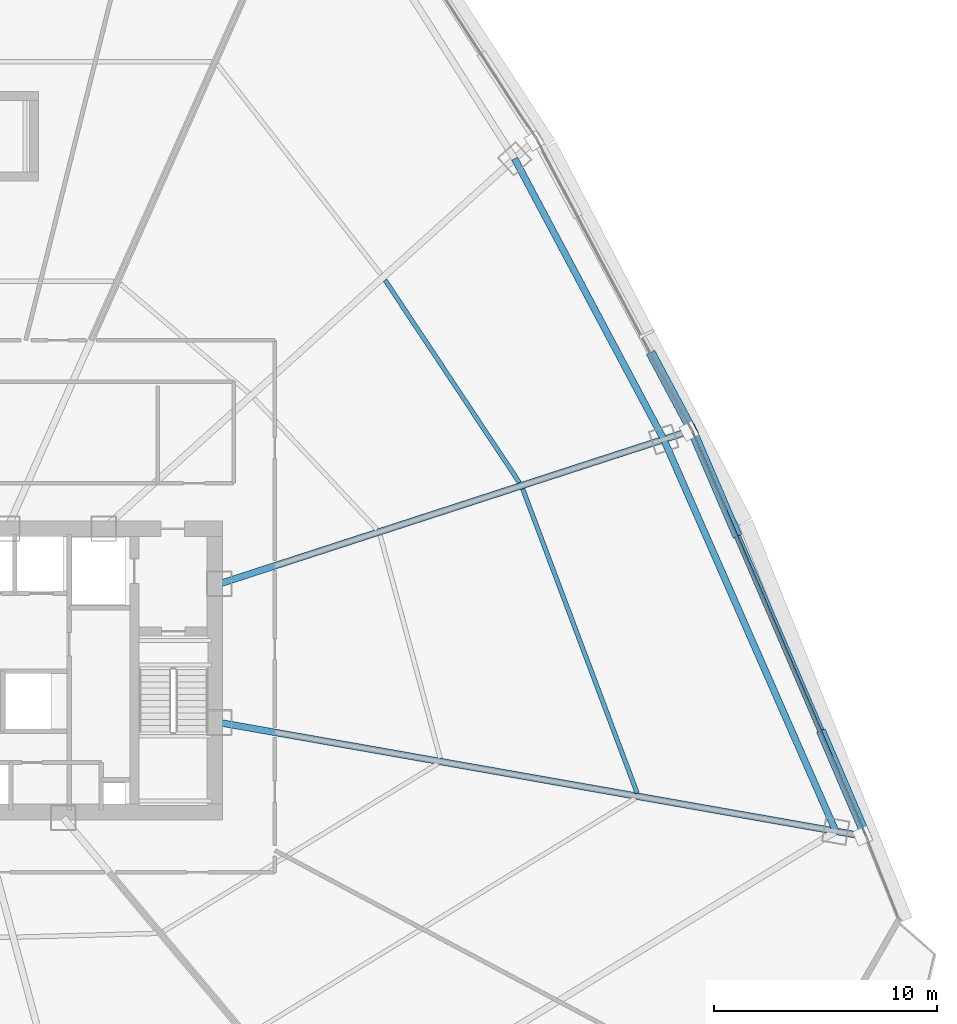
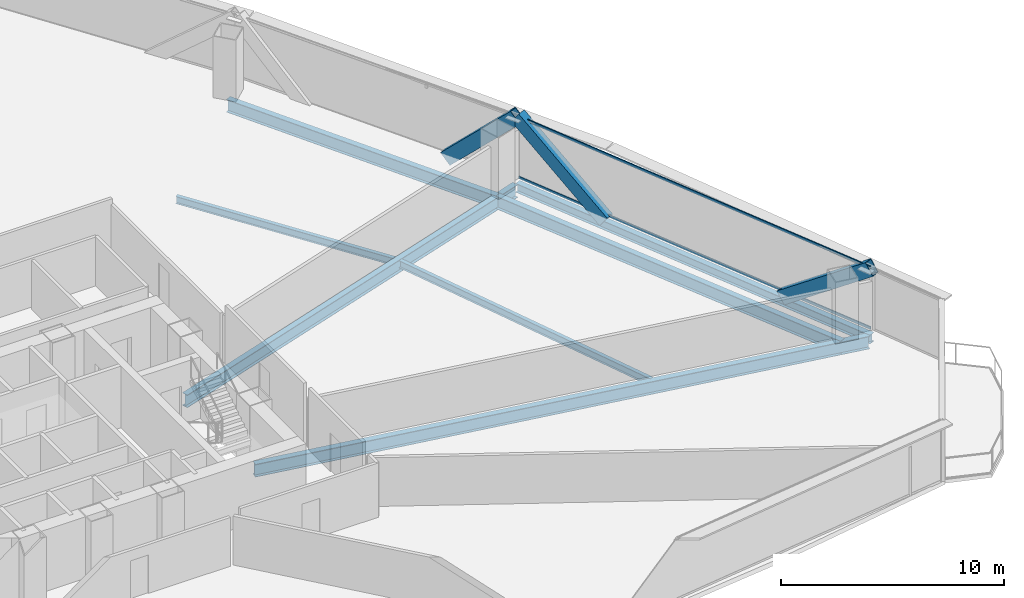
# One storey, part 23 of 37: 7 beams, 5 members, 1 element without a shape of its own.
"""IFC4 building model written with IfcOpenShell, lengths in metres."""

import ifcopenshell
import ifcopenshell.guid

model = None  # the IFC model being written
_history = None  # IfcOwnerHistory: only IFC2X3 demands one
_inside = {}  # id of a spatial element -> (the spatial element, [elements in it])
_under = {}  # id of a project, library or spatial element -> (it, [spatial elements below it])
_declared = {}  # id of a project -> (the project, [libraries it declares])
_typed = {}  # id of a type object -> (the type object, [elements of that type])
_made_of = {}  # id of a material, layer set ... -> (it, [elements and type objects made of it])


def new_model(schema):
    """Start an empty IFC model of exactly this schema.

    Asked for "IFC4X3", IfcOpenShell would pick the latest addendum, in which some entities
    have other attributes; the version numbers below select the first issue.
    IFC2X3 requires an IfcOwnerHistory on every rooted entity: one is made here for all.
    """
    global model, _history
    if schema == "IFC4X3":
        model = ifcopenshell.file(schema_version=(4, 3, 0, 0))
    else:
        model = ifcopenshell.file(schema=schema)
    _inside.clear()
    _under.clear()
    _declared.clear()
    _typed.clear()
    _made_of.clear()
    _history = None
    if model.schema == "IFC2X3":
        org = make("IfcOrganization", Name="unknown")
        user = make(
            "IfcPersonAndOrganization",
            ThePerson=make("IfcPerson", FamilyName="unknown"),
            TheOrganization=org,
        )
        app = make(
            "IfcApplication",
            ApplicationDeveloper=org,
            Version="unknown",
            ApplicationFullName="unknown",
            ApplicationIdentifier="unknown",
        )
        _history = make(
            "IfcOwnerHistory",
            OwningUser=user,
            OwningApplication=app,
            ChangeAction="ADDED",
            CreationDate=0,
        )
    return model


def make(cls, **values):
    """One entity of the class cls with the attributes given. An attribute that is None is left unset."""
    return model.create_entity(
        cls, **{name: value for name, value in values.items() if value is not None}
    )


def rooted(cls, **values):
    """An entity with a GlobalId (a new one), such as an element, a storey or a relation."""
    return make(cls, GlobalId=ifcopenshell.guid.new(), OwnerHistory=_history, **values)


def si_unit(unit_type, name, prefix=None):
    """IfcSIUnit, for example si_unit("LENGTHUNIT", "METRE", prefix="MILLI")."""
    return make("IfcSIUnit", UnitType=unit_type, Prefix=prefix, Name=name)


def assignment(units):
    """IfcUnitAssignment: the units of a project."""
    return None if units is None else make("IfcUnitAssignment", Units=units)


def point(xyz):
    """IfcCartesianPoint."""
    return None if xyz is None else make("IfcCartesianPoint", Coordinates=xyz)


def direction(xyz):
    """IfcDirection."""
    return None if xyz is None else make("IfcDirection", DirectionRatios=xyz)


def frame(location, z_axis=None, x_axis=None):
    """IfcAxis2Placement3D, a coordinate frame: its origin and axes. An axis left out is left unset."""
    return make(
        "IfcAxis2Placement3D",
        Location=point(location),
        Axis=direction(z_axis),
        RefDirection=direction(x_axis),
    )


def frame_2d(location, x_axis=None):
    """IfcAxis2Placement2D, a coordinate frame in the plane: its origin and x axis."""
    return make(
        "IfcAxis2Placement2D", Location=point(location), RefDirection=direction(x_axis)
    )


def origin():
    """The frame at (0, 0, 0) with its axes left unset."""
    return frame((0.0, 0.0, 0.0))


def origin_2d():
    """The frame at (0, 0) in the plane with its x axis left unset."""
    return frame_2d((0.0, 0.0))


def place(relative_to, where):
    """IfcLocalPlacement: puts the frame where relative to a parent placement (None: the world)."""
    return make(
        "IfcLocalPlacement", PlacementRelTo=relative_to, RelativePlacement=where
    )


def context(
    kind, dimensions, precision=None, world=None, true_north=None, identifier=None
):
    """IfcGeometricRepresentationContext, for example the 3D "Model" context."""
    return make(
        "IfcGeometricRepresentationContext",
        ContextIdentifier=identifier,
        ContextType=kind,
        CoordinateSpaceDimension=dimensions,
        Precision=precision,
        WorldCoordinateSystem=world,
        TrueNorth=true_north,
    )


def subcontext(parent, identifier, kind, view, scale=None):
    """IfcGeometricRepresentationSubContext, for example "Body" below "Model"."""
    return make(
        "IfcGeometricRepresentationSubContext",
        ContextIdentifier=identifier,
        ContextType=kind,
        ParentContext=parent,
        TargetScale=scale,
        TargetView=view,
    )


def project(units=None, contexts=None):
    """IfcProject with its units and contexts."""
    return rooted(
        "IfcProject",
        Name="project",
        RepresentationContexts=contexts,
        UnitsInContext=assignment(units),
    )


def spatial(cls, under=None, at=None, **own):
    """A site, building, storey or space (cls), placed at a placement, below another one or the project."""
    s = rooted(cls, ObjectPlacement=at, **own)
    if under is not None:
        _under.setdefault(under.id(), (under, []))[1].append(s)
    return s


def profile(cls, at=None, kind="AREA", **sizes):
    """A parametric profile (cls). Its sizes go by their IFC names, for example OverallWidth=200.0."""
    return make(cls, ProfileType=kind, Position=at, **sizes)


def hollow_rectangle(**sizes):
    """IfcRectangleHollowProfileDef."""
    return profile("IfcRectangleHollowProfileDef", **sizes)


def i_section(**sizes):
    """IfcIShapeProfileDef."""
    return profile("IfcIShapeProfileDef", **sizes)


def extrude(swept, where, along, depth):
    """IfcExtrudedAreaSolid: the profile swept, set in the frame where, extruded along a direction by depth."""
    return make(
        "IfcExtrudedAreaSolid",
        SweptArea=swept,
        Position=where,
        ExtrudedDirection=direction(along),
        Depth=depth,
    )


def shape(context_of_items, identifier, shape_type, items):
    """IfcShapeRepresentation: the items that make up one representation, for example the "Body"."""
    return make(
        "IfcShapeRepresentation",
        ContextOfItems=context_of_items,
        RepresentationIdentifier=identifier,
        RepresentationType=shape_type,
        Items=items,
    )


def source(mapping_origin, context_of_items, identifier, shape_type, items):
    """IfcRepresentationMap: a shape defined once, which mapped items show again and again."""
    return make(
        "IfcRepresentationMap",
        MappingOrigin=mapping_origin,
        MappedRepresentation=shape(context_of_items, identifier, shape_type, items),
    )


def transform(
    local_origin,
    x_axis=None,
    y_axis=None,
    z_axis=None,
    scale=None,
    scale2=None,
    scale3=None,
    uniform=True,
):
    """IfcCartesianTransformationOperator3D, or its non-uniform kind. x_axis, y_axis, z_axis: its Axis1, 2, 3."""
    if uniform:
        return make(
            "IfcCartesianTransformationOperator3D",
            Axis1=direction(x_axis),
            Axis2=direction(y_axis),
            LocalOrigin=point(local_origin),
            Scale=scale,
            Axis3=direction(z_axis),
        )
    return make(
        "IfcCartesianTransformationOperator3DnonUniform",
        Axis1=direction(x_axis),
        Axis2=direction(y_axis),
        LocalOrigin=point(local_origin),
        Scale=scale,
        Axis3=direction(z_axis),
        Scale2=scale2,
        Scale3=scale3,
    )


def mapped(mapping_source, mapping_target):
    """IfcMappedItem: shows the shape of a source again, moved by a transform."""
    return make(
        "IfcMappedItem", MappingSource=mapping_source, MappingTarget=mapping_target
    )


def material(Name=None, Category=None):
    """IfcMaterial."""
    return make("IfcMaterial", Name=Name, Category=Category)


def layer(
    of_material, thickness, ventilated=None, Name=None, Category=None, Priority=None
):
    """IfcMaterialLayer: one layer of a wall or slab, of a material (None: an air gap)."""
    return make(
        "IfcMaterialLayer",
        Material=of_material,
        LayerThickness=thickness,
        IsVentilated=ventilated,
        Name=Name,
        Category=Category,
        Priority=Priority,
    )


def layer_set(layers, Name=None):
    """IfcMaterialLayerSet."""
    return make("IfcMaterialLayerSet", MaterialLayers=layers, LayerSetName=Name)


def material_profile(
    of_material, cross_section, Name=None, Category=None, Priority=None
):
    """IfcMaterialProfile: a cross section and its material."""
    return make(
        "IfcMaterialProfile",
        Name=Name,
        Material=of_material,
        Profile=cross_section,
        Priority=Priority,
        Category=Category,
    )


def profile_set(profiles, Name=None, composite=None):
    """IfcMaterialProfileSet."""
    return make(
        "IfcMaterialProfileSet",
        Name=Name,
        MaterialProfiles=profiles,
        CompositeProfile=composite,
    )


def made_of(thing, what):
    """Note that an element or type object is made of a material, layer set ...; save() writes the relation."""
    if what is not None:
        _made_of.setdefault(what.id(), (what, []))[1].append(thing)
    return thing


def type_object(cls, material=None, **own):
    """A type object (cls), such as IfcWallType, which elements share."""
    return made_of(rooted(cls, **own), material)


def element(
    cls,
    number,
    at=None,
    inside=None,
    cuts=None,
    type_object=None,
    material=None,
    context=None,
    identifier="Body",
    shape_type=None,
    held_by="IfcProductDefinitionShape",
    body=None,
    shapes=None,
    **own,
):
    """One element of the class cls, such as IfcWall. Its Tag is "e" and its number.

    at: its placement. inside: the storey or other place that contains it. cuts: it is an
    opening in that element (IfcRelVoidsElement). A single representation is given by context,
    identifier, shape_type and body (its items); several are given by shapes. held_by: the class
    of the entity that holds the representations. save() writes the other relations.
    """
    e = rooted(cls, Tag="e%d" % number, ObjectPlacement=at, **own)
    if body is not None:
        shapes = [shape(context, identifier, shape_type, body)]
    if shapes is not None:
        e.Representation = make(held_by, Representations=shapes)
    if inside is not None:
        _inside.setdefault(inside.id(), (inside, []))[1].append(e)
    if cuts is not None:
        rooted(
            "IfcRelVoidsElement", RelatingBuildingElement=cuts, RelatedOpeningElement=e
        )
    if type_object is not None:
        _typed.setdefault(type_object.id(), (type_object, []))[1].append(e)
    return made_of(e, material)


def aggregate(whole, parts):
    """IfcRelAggregates: a whole, such as a stair, and the parts it consists of."""
    return rooted("IfcRelAggregates", RelatingObject=whole, RelatedObjects=parts)


def save(model, path):
    """Write the relations noted so far, then the file.

    IfcRelAggregates (storeys below a building ...), IfcRelContainedInSpatialStructure (elements
    in a storey), IfcRelDefinesByType, IfcRelAssociatesMaterial and IfcRelDeclares: one each for
    every whole, place, type object, material and project.
    """
    for whole, parts in _under.values():
        aggregate(whole, parts)
    for where, things in _inside.values():
        rooted(
            "IfcRelContainedInSpatialStructure",
            RelatedElements=things,
            RelatingStructure=where,
        )
    for kind, things in _typed.values():
        rooted("IfcRelDefinesByType", RelatedObjects=things, RelatingType=kind)
    for what, things in _made_of.values():
        rooted("IfcRelAssociatesMaterial", RelatedObjects=things, RelatingMaterial=what)
    for by, libraries in _declared.values():
        rooted("IfcRelDeclares", RelatingContext=by, RelatedDefinitions=libraries)
    model.write(path)


model = new_model("IFC4")

# Units and contexts
model_context = context("Model", 3, precision=1e-05, world=origin(), true_north=direction((0.0, 1.0)))
body_context = subcontext(model_context, "Body", "Model", "MODEL_VIEW")
ifc_project = project(units=[si_unit("LENGTHUNIT", "METRE"), si_unit("AREAUNIT", "SQUARE_METRE"), si_unit("VOLUMEUNIT", "CUBIC_METRE"), si_unit("PLANEANGLEUNIT", "RADIAN"), si_unit("MASSUNIT", "GRAM", prefix="KILO"), si_unit("THERMODYNAMICTEMPERATUREUNIT", "KELVIN"), si_unit("POWERUNIT", "WATT")], contexts=[model_context])

# Site, building, storey
site_placement = place(None, origin())
site = spatial("IfcSite", under=ifc_project, at=site_placement, CompositionType="ELEMENT")
building_placement = place(site_placement, origin())
building = spatial("IfcBuilding", under=site, at=building_placement, Name="Yunzhuo Pagoda Commons", CompositionType="ELEMENT")
storey_placement = place(building_placement, frame((0.0, 0.0, 59.43994140625)))
storey = spatial("IfcBuildingStorey", under=building, at=storey_placement, Name="L15", CompositionType="ELEMENT", Elevation=59.43994140625)

# Beams
ifc_material_1 = material(Name="Structural steel Q355B", Category="steel")
ifc_material_profile_1 = material_profile(ifc_material_1, i_section(OverallWidth=0.300048828125, OverallDepth=0.699951171875, WebThickness=0.012939453125, FlangeThickness=0.02392578125, at=origin_2d()), Name="Structural steel Q355B")
ifc_profile_set_1 = profile_set([ifc_material_profile_1], Name="Structural steel Q355B")
beam_type_1 = type_object("IfcBeamType", Name="B-RG1 Beam HN 700x300x13x24", PredefinedType="BEAM", material=ifc_profile_set_1)
shared_shape_1 = source(origin(), body_context, "Body", "SweptSolid", [
    extrude(i_section(OverallWidth=0.300048828125, OverallDepth=0.699951171875, WebThickness=0.012939453125, FlangeThickness=0.02392578125, at=origin_2d()), origin(), (0.0, 0.0, 1.0), 19.18603515625),
])
beam_1_placement = place(storey_placement, frame((88.047607421875, 26.638427734375, -0.60986328125), z_axis=(-0.40196534204, 0.915654882474, 0.0), x_axis=(-0.915654882474, -0.40196534204, 0.0)))
element("IfcBeam", 1, at=beam_1_placement, inside=storey, type_object=beam_type_1, Name="L15 column-ring beam 5", PredefinedType="BEAM", context=body_context, shape_type="MappedRepresentation", body=[
    mapped(shared_shape_1, transform((0.0, 0.0, 0.0), scale=1.0)),
])
shared_shape_2 = source(origin(), body_context, "Body", "SweptSolid", [
    extrude(i_section(OverallWidth=0.300048828125, OverallDepth=0.699951171875, WebThickness=0.012939453125, FlangeThickness=0.02392578125, at=origin_2d()), origin(), (0.0, 0.0, 1.0), 14.25390625),
])
beam_2_placement = place(storey_placement, frame((80.33544921875, 44.206298828125, -0.60986328125), z_axis=(-0.469118073628, 0.883135455633, 0.0), x_axis=(-0.883135455633, -0.469118073628, 0.0)))
element("IfcBeam", 2, at=beam_2_placement, inside=storey, type_object=beam_type_1, Name="L15 column-ring beam 6", PredefinedType="BEAM", context=body_context, shape_type="MappedRepresentation", body=[
    mapped(shared_shape_2, transform((0.0, 0.0, 0.0), scale=1.0)),
])
ifc_material_profile_2 = material_profile(ifc_material_1, i_section(OverallWidth=0.199951171875, OverallDepth=0.39990234375, WebThickness=0.008056640625, FlangeThickness=0.012939453125, at=origin_2d()), Name="Structural steel Q355B")
ifc_profile_set_2 = profile_set([ifc_material_profile_2], Name="Structural steel Q355B")
beam_type_2 = type_object("IfcBeamType", Name="B-JS1 Joist HN 400x200x8x13", PredefinedType="JOIST", material=ifc_profile_set_2)
shared_shape_3 = source(origin(), body_context, "Body", "SweptSolid", [
    extrude(i_section(OverallWidth=0.199951171875, OverallDepth=0.39990234375, WebThickness=0.008056640625, FlangeThickness=0.012939453125, at=origin_2d()), origin(), (0.0, 0.0, 1.0), 14.571044921875),
])
beam_3_placement = place(storey_placement, frame((79.144287109375, 28.347412109375, -0.459716796875), z_axis=(-0.352208383632, 0.935921607027, 0.0), x_axis=(-0.935921607027, -0.352208383632, 0.0)))
element("IfcBeam", 3, at=beam_3_placement, inside=storey, type_object=beam_type_2, Name="L15 composite ring joist 2.5", PredefinedType="JOIST", context=body_context, shape_type="MappedRepresentation", body=[
    mapped(shared_shape_3, transform((0.0, 0.0, 0.0), scale=1.0)),
])
shared_shape_4 = source(origin(), body_context, "Body", "SweptSolid", [
    extrude(i_section(OverallWidth=0.199951171875, OverallDepth=0.39990234375, WebThickness=0.008056640625, FlangeThickness=0.012939453125, at=origin_2d()), origin(), (0.0, 0.0, 1.0), 10.904052734375),
])
beam_4_placement = place(storey_placement, frame((73.8681640625, 42.26611328125, -0.459716796875), z_axis=(-0.552916349928, 0.833236767061, 0.0), x_axis=(-0.833236767061, -0.552916349928, 0.0)))
element("IfcBeam", 4, at=beam_4_placement, inside=storey, type_object=beam_type_2, Name="L15 composite ring joist 2.6", PredefinedType="JOIST", context=body_context, shape_type="MappedRepresentation", body=[
    mapped(shared_shape_4, transform((0.0, 0.0, 0.0), scale=1.0)),
])
shared_shape_5 = source(origin(), body_context, "Body", "SweptSolid", [
    extrude(i_section(OverallWidth=0.300048828125, OverallDepth=0.699951171875, WebThickness=0.012939453125, FlangeThickness=0.02392578125, at=origin_2d()), origin(), (0.0, 0.0, 1.0), 29.313232421875),
])
beam_5_placement = place(storey_placement, frame((89.267822265625, 26.42333984375, -0.60986328125), z_axis=(-0.984808367131, 0.173644694792, 0.0), x_axis=(-0.173644694792, -0.984808367131, 0.0)))
element("IfcBeam", 5, at=beam_5_placement, inside=storey, type_object=beam_type_1, Name="L15 radial floor girder F2C1", PredefinedType="BEAM", context=body_context, shape_type="MappedRepresentation", body=[
    mapped(shared_shape_5, transform((0.0, 0.0, 0.0), scale=1.0)),
])
shared_shape_6 = source(origin(), body_context, "Body", "SweptSolid", [
    extrude(i_section(OverallWidth=0.300048828125, OverallDepth=0.699951171875, WebThickness=0.012939453125, FlangeThickness=0.02392578125, at=origin_2d()), origin(), (0.0, 0.0, 1.0), 22.139404296875),
])
beam_6_placement = place(storey_placement, frame((81.45556640625, 44.570556640625, -0.60986328125), z_axis=(-0.951054488387, -0.309023235565, 0.0), x_axis=(0.309023235565, -0.951054488387, 0.0)))
element("IfcBeam", 6, at=beam_6_placement, inside=storey, type_object=beam_type_1, Name="L15 radial floor girder F2C2", PredefinedType="BEAM", context=body_context, shape_type="MappedRepresentation", body=[
    mapped(shared_shape_6, transform((0.0, 0.0, 0.0), scale=1.0)),
])
ifc_material_profile_3 = material_profile(ifc_material_1, i_section(OverallWidth=0.300048828125, OverallDepth=0.488037109375, WebThickness=0.010986328125, FlangeThickness=0.01806640625, at=origin_2d()), Name="Structural steel Q355B")
ifc_profile_set_3 = profile_set([ifc_material_profile_3], Name="Structural steel Q355B")
beam_type_3 = type_object("IfcBeamType", Name="B-SP1 Beam HM 488x300x11x18", PredefinedType="BEAM", material=ifc_profile_set_3)
shared_shape_7 = source(origin(), body_context, "Body", "SweptSolid", [
    extrude(i_section(OverallWidth=0.300048828125, OverallDepth=0.488037109375, WebThickness=0.010986328125, FlangeThickness=0.01806640625, at=origin_2d()), origin(), (0.0, 0.0, 1.0), 19.828125),
])
beam_7_placement = place(storey_placement, frame((89.420654296875, 26.396484375, -0.50390625), z_axis=(-0.394280372783, 0.918990199969, 0.0), x_axis=(-0.918990199969, -0.394280372783, 0.0)))
element("IfcBeam", 7, at=beam_7_placement, inside=storey, type_object=beam_type_3, Name="L15 facade edge spandrel beam F2.1", PredefinedType="BEAM", context=body_context, shape_type="MappedRepresentation", body=[
    mapped(shared_shape_7, transform((0.0, 0.0, 0.0), scale=1.0)),
])

# Members
ifc_material_2 = material(Name="Structural steel Q420B", Category="steel")
ifc_material_profile_4 = material_profile(ifc_material_2, hollow_rectangle(XDim=0.419921875, YDim=0.719970703125, WallThickness=0.028076171875, at=origin_2d()), Name="Structural steel Q420B")
ifc_profile_set_4 = profile_set([ifc_material_profile_4], Name="Structural steel Q420B")
member_type_1 = type_object("IfcMemberType", Name="M-DL1 Brace BOX 720x420x28", PredefinedType="BRACE", material=ifc_profile_set_4)
shared_shape_8 = source(origin(), body_context, "Body", "SweptSolid", [
    extrude(hollow_rectangle(XDim=0.419921875, YDim=0.719970703125, WallThickness=0.028076171875, at=origin_2d()), origin(), (0.0, 0.0, 1.0), 6.14404296875),
])
member_1_placement = place(storey_placement, frame((87.46630859375, 30.951904296875, -0.260009765625), z_axis=(0.318088420968, -0.741438082054, 0.590837817786), x_axis=(0.918997208693, 0.394264036421, 0.0)))
element("IfcMember", 8, at=member_1_placement, inside=storey, type_object=member_type_1, Name="L15 facade diamond brace F2.1L", PredefinedType="BRACE", context=body_context, shape_type="MappedRepresentation", body=[
    mapped(shared_shape_8, transform((0.0, 0.0, 0.0), scale=1.0)),
])
shared_shape_9 = source(origin(), body_context, "Body", "SweptSolid", [
    extrude(hollow_rectangle(XDim=0.419921875, YDim=0.719970703125, WallThickness=0.028076171875, at=origin_2d()), origin(), (0.0, 0.0, 1.0), 5.1845703125),
])
member_2_placement = place(storey_placement, frame((79.86181640625, 47.885009765625, -0.260009765625), z_axis=(0.33579955389, -0.630065633299, 0.700182802804), x_axis=(0.88248983647, 0.470331466657, 0.0)))
element("IfcMember", 9, at=member_2_placement, inside=storey, type_object=member_type_1, Name="L15 facade diamond brace F2.2L", PredefinedType="BRACE", context=body_context, shape_type="MappedRepresentation", body=[
    mapped(shared_shape_9, transform((0.0, 0.0, 0.0), scale=1.0)),
])
shared_shape_10 = source(origin(), body_context, "Body", "SweptSolid", [
    extrude(hollow_rectangle(XDim=0.419921875, YDim=0.719970703125, WallThickness=0.028076171875, at=origin_2d()), origin(), (0.0, 0.0, 1.0), 6.144287109375),
])
member_3_placement = place(storey_placement, frame((83.557373046875, 40.062744140625, -0.260009765625), z_axis=(-0.318114763832, 0.741446601688, 0.590812943221), x_axis=(-0.918987019577, -0.39428778557, 0.0)))
element("IfcMember", 10, at=member_3_placement, inside=storey, type_object=member_type_1, Name="L15 facade diamond brace F2.1R", PredefinedType="BRACE", context=body_context, shape_type="MappedRepresentation", body=[
    mapped(shared_shape_10, transform((0.0, 0.0, 0.0), scale=1.0)),
])

# Curtain wall, members
ifc_material_3 = material(Name="Anodized aluminium 6063-T6", Category="aluminium")
ifc_layer = layer(ifc_material_3, 0.1650390625)
ifc_layer_set = layer_set([ifc_layer], Name="Anodized aluminium 6063-T6")
curtain_wall_type = type_object("IfcCurtainWallType", Name="CW-LOW Low-Zone Ribbon Curtain Wall", PredefinedType="NOTDEFINED", material=ifc_layer_set)
curtain_wall_placement = place(storey_placement, origin())
curtain_wall = element("IfcCurtainWall", 11, at=curtain_wall_placement, inside=storey, type_object=curtain_wall_type, Name="L15 curtain wall CW-L15-F2B2", PredefinedType="NOTDEFINED")
ifc_material_profile_5 = material_profile(ifc_material_3, hollow_rectangle(XDim=0.06005859375, YDim=0.139892578125, WallThickness=0.00341796875, at=origin_2d()), Name="Anodized aluminium 6063-T6")
ifc_profile_set_5 = profile_set([ifc_material_profile_5], Name="Anodized aluminium 6063-T6")
member_type_2 = type_object("IfcMemberType", Name="CW-LOW-T Transom RHS 140x60x3.5", PredefinedType="USERDEFINED", material=ifc_profile_set_5)
shared_shape_11 = source(origin(), body_context, "Body", "SweptSolid", [
    extrude(hollow_rectangle(XDim=0.06005859375, YDim=0.139892578125, WallThickness=0.00341796875, at=origin_2d()), origin(), (0.0, 0.0, 1.0), 19.698486328125),
])
member_4_placement = place(storey_placement, frame((89.395263671875, 26.4560546875, 0.030029296875), z_axis=(-0.394288734681, 0.918986612364, 0.0), x_axis=(-0.918986612364, -0.394288734681, 0.0)))
member_4 = element("IfcMember", 12, at=member_4_placement, type_object=member_type_2, Name="CW transom 1.1", ObjectType="TRANSOM", PredefinedType="USERDEFINED", context=body_context, shape_type="MappedRepresentation", body=[
    mapped(shared_shape_11, transform((0.0, 0.0, 0.0), scale=1.0)),
])
member_5_placement = place(storey_placement, frame((89.395263671875, 26.4560546875, 3.340087890625), z_axis=(-0.394288734681, 0.918986612364, 0.0), x_axis=(-0.918986612364, -0.394288734681, 0.0)))
member_5 = element("IfcMember", 13, at=member_5_placement, type_object=member_type_2, Name="CW transom 1.2", ObjectType="TRANSOM", PredefinedType="USERDEFINED", context=body_context, shape_type="MappedRepresentation", body=[
    mapped(shared_shape_11, transform((0.0, 0.0, 0.0), scale=1.0)),
])
aggregate(curtain_wall, [member_4, member_5])

save(model, "model.ifc")
